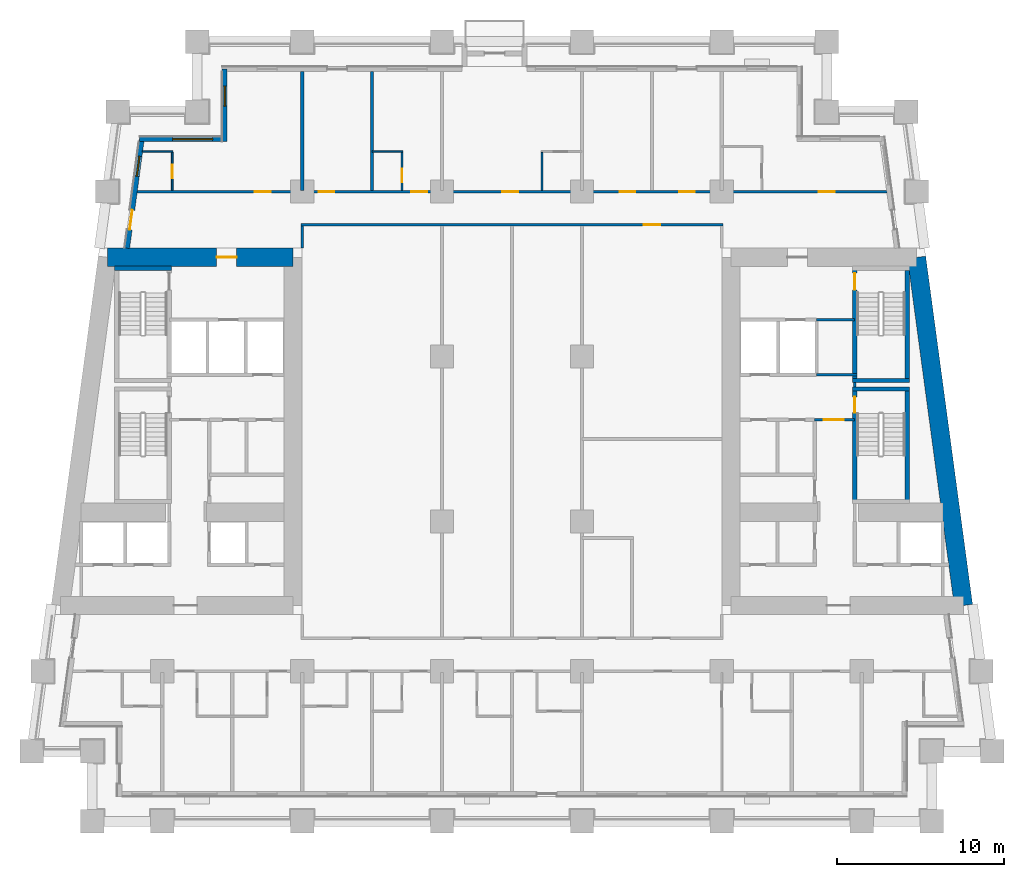
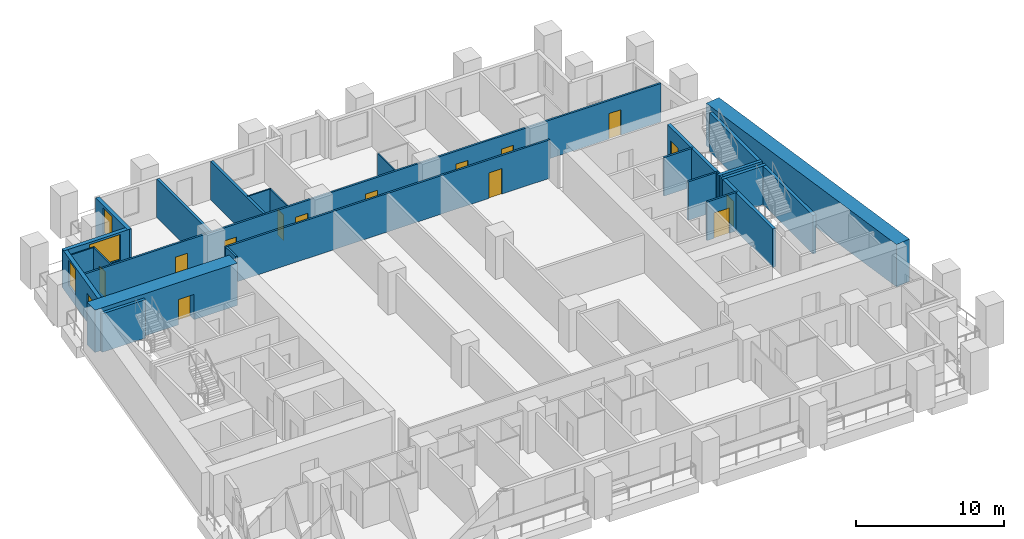
# One storey, part 6 of 13: 26 walls, 15 doors, 3 windows, 18 openings.
"""IFC4 building model written with IfcOpenShell, lengths in metres."""

from ifc_helpers import new_model, si_unit, direction, frame, frame_2d, origin, place, context, subcontext, project, spatial, rectangle, extrude, material, layer, layer_set, type_object, element, fill, save


model = new_model("IFC4")

# Units and contexts
model_context = context("Model", 3, precision=1e-05, world=origin(), true_north=direction((0.0, 1.0)))
body_context = subcontext(model_context, "Body", "Model", "MODEL_VIEW")
ifc_project = project(units=[si_unit("LENGTHUNIT", "METRE"), si_unit("AREAUNIT", "SQUARE_METRE"), si_unit("VOLUMEUNIT", "CUBIC_METRE"), si_unit("PLANEANGLEUNIT", "RADIAN"), si_unit("MASSUNIT", "GRAM", prefix="KILO")], contexts=[model_context])

# Site, building, storey
site_placement = place(None, origin())
site = spatial("IfcSite", under=ifc_project, at=site_placement, CompositionType="ELEMENT")
building_placement = place(site_placement, origin())
building = spatial("IfcBuilding", under=site, at=building_placement, Name="Candeia Pilgrim Tower and Theatre", CompositionType="ELEMENT")
storey_placement = place(building_placement, frame((0.0, 0.0, 67.0)))
storey = spatial("IfcBuildingStorey", under=building, at=storey_placement, Name="L14", CompositionType="ELEMENT", Elevation=67.0)

# Wall, opening, door
ifc_material_1 = material(Name="Concrete C80/95", Category="concrete")
ifc_layer_1 = layer(ifc_material_1, 1.10009765625)
ifc_layer_set_1 = layer_set([ifc_layer_1], Name="Core wall 1100 C80/95")
wall_type_1 = type_object("IfcWallType", Name="Core wall 1100 C80/95", PredefinedType="SHEAR", material=ifc_layer_set_1)
wall_1_placement = place(storey_placement, frame((89.111572265625, 131.85009765625, 0.0), z_axis=(0.0, 0.0, 1.0), x_axis=(1.0, 0.0, 0.0)))
wall_1 = element("IfcWall", 1, at=wall_1_placement, inside=storey, type_object=wall_type_1, Name="Core wall W1", PredefinedType="SHEAR", context=body_context, shape_type="SweptSolid", body=[
    extrude(rectangle(XDim=11.138427734375, YDim=1.10009765625, at=frame_2d((5.5693359375, 0.0))), origin(), (0.0, 0.0, 1.0), 3.5),
])
opening_1_placement = place(wall_1_placement, frame((6.5517578125, 0.0, 0.0)))
opening_1 = element("IfcOpeningElement", 2, at=opening_1_placement, cuts=wall_1, Name="Opening L14-D055", PredefinedType="OPENING", context=body_context, shape_type="SweptSolid", body=[
    extrude(rectangle(XDim=1.199951171875, YDim=2.10009765625, at=frame_2d((0.60009765625, 1.050048828125))), frame((0.0, 0.56005859375, 0.0), z_axis=(0.0, -1.0, 0.0), x_axis=(1.0, 0.0, 0.0)), (0.0, 0.0, 1.0), 1.1201171875),
])
ifc_material_2 = material(Name="Steel fire door set", Category="steel")
door_type_1 = type_object("IfcDoorType", Name="D-1200-FD60", OperationType="NOTDEFINED", PredefinedType="DOOR", material=ifc_material_2)
door_1_placement = place(opening_1_placement, origin())
door_1 = element("IfcDoor", 3, at=door_1_placement, inside=storey, type_object=door_type_1, Name="Door L14-D055", OperationType="SINGLE_SWING_LEFT", OverallHeight=2.10009765625, OverallWidth=1.199951171875, PredefinedType="DOOR", context=body_context, shape_type="SweptSolid", body=[
    extrude(rectangle(XDim=1.199951171875, YDim=2.10009765625, at=frame_2d((0.60009765625, 1.050048828125))), frame((0.0, 0.02490234375, 0.0), z_axis=(0.0, -1.0, 0.0), x_axis=(1.0, 0.0, 0.0)), (0.0, 0.0, 1.0), 0.050048828125),
])
fill(opening_1, door_1)

# Wall
wall_2_placement = place(storey_placement, frame((137.688232421875, 131.85009765625, 0.0), z_axis=(0.0, 0.0, 1.0), x_axis=(0.133411793472, -0.991060691059, 0.0)))
element("IfcWall", 4, at=wall_2_placement, inside=storey, type_object=wall_type_1, Name="Core wall E2", PredefinedType="SHEAR", context=body_context, shape_type="SweptSolid", body=[
    extrude(rectangle(XDim=21.088623046875, YDim=1.10009765625, at=frame_2d((10.54443359375, 0.0))), origin(), (0.0, 0.0, 1.0), 3.5),
])

# Wall, opening, window
ifc_material_3 = material(Name="Ceramic block masonry", Category="masonry")
ifc_layer_2 = layer(ifc_material_3, 0.300048828125)
ifc_layer_set_2 = layer_set([ifc_layer_2], Name="EW1 glazing-line wall 300")
wall_type_2 = type_object("IfcWallType", Name="EW1 glazing-line wall 300", PredefinedType="SOLIDWALL", material=ifc_layer_set_2)
wall_3_placement = place(storey_placement, frame((96.14990234375, 143.14990234375, 0.0), z_axis=(0.0, 0.0, 1.0), x_axis=(0.0, -1.0, 0.0)))
wall_3 = element("IfcWall", 5, at=wall_3_placement, inside=storey, type_object=wall_type_2, Name="External wall L14-7.0", PredefinedType="SOLIDWALL", context=body_context, shape_type="SweptSolid", body=[
    extrude(rectangle(XDim=4.349853515625, YDim=0.300048828125, at=frame_2d((2.1748046875, 0.0))), origin(), (0.0, 0.0, 1.0), 3.179931640625),
])
opening_2_placement = place(wall_3_placement, frame((1.02490234375, 0.0, 0.89990234375)))
opening_2 = element("IfcOpeningElement", 6, at=opening_2_placement, cuts=wall_3, Name="Opening W-B", PredefinedType="OPENING", context=body_context, shape_type="SweptSolid", body=[
    extrude(rectangle(XDim=1.199951171875, YDim=2.10009765625, at=frame_2d((0.60009765625, 1.050048828125))), frame((0.0, 0.16015625, 0.0), z_axis=(0.0, -1.0, 0.0), x_axis=(1.0, 0.0, 0.0)), (0.0, 0.0, 1.0), 0.320068359375),
])
ifc_material_4 = material(Name="Aluminium framed double glazing", Category="aluminium")
window_type_1 = type_object("IfcWindowType", Name="W-B window 1200x2100", PartitioningType="SINGLE_PANEL", PredefinedType="WINDOW", material=ifc_material_4)
window_1_placement = place(opening_2_placement, origin())
window_1 = element("IfcWindow", 7, at=window_1_placement, inside=storey, type_object=window_type_1, Name="Window W-B L14", OverallHeight=2.10009765625, OverallWidth=1.199951171875, PartitioningType="SINGLE_PANEL", PredefinedType="WINDOW", context=body_context, shape_type="SweptSolid", body=[
    extrude(rectangle(XDim=1.199951171875, YDim=2.10009765625, at=frame_2d((0.60009765625, 1.050048828125))), frame((0.0, 0.030029296875, 0.0), z_axis=(0.0, -1.0, 0.0), x_axis=(1.0, 0.0, 0.0)), (0.0, 0.0, 1.0), 0.06005859375),
])
fill(opening_2, window_1)

wall_4_placement = place(storey_placement, frame((96.14990234375, 138.949951171875, 0.0), z_axis=(0.0, 0.0, 1.0), x_axis=(-1.0, 0.0, 0.0)))
wall_4 = element("IfcWall", 8, at=wall_4_placement, inside=storey, type_object=wall_type_2, Name="External wall L14-8.0", PredefinedType="SOLIDWALL", context=body_context, shape_type="SweptSolid", body=[
    extrude(rectangle(XDim=5.103759765625, YDim=0.300048828125, at=frame_2d((2.5517578125, 0.0))), origin(), (0.0, 0.0, 1.0), 3.179931640625),
])
opening_3_placement = place(wall_4_placement, frame((0.72509765625, 0.0, 0.89990234375)))
opening_3 = element("IfcOpeningElement", 9, at=opening_3_placement, cuts=wall_4, Name="Opening W-A", PredefinedType="OPENING", context=body_context, shape_type="SweptSolid", body=[
    extrude(rectangle(XDim=2.39990234375, YDim=2.10009765625, at=frame_2d((1.199951171875, 1.050048828125))), frame((0.0, 0.16015625, 0.0), z_axis=(0.0, -1.0, 0.0), x_axis=(1.0, 0.0, 0.0)), (0.0, 0.0, 1.0), 0.320068359375),
])
window_type_2 = type_object("IfcWindowType", Name="W-A window 2400x2100", PartitioningType="DOUBLE_PANEL_VERTICAL", PredefinedType="WINDOW", material=ifc_material_4)
window_2_placement = place(opening_3_placement, origin())
window_2 = element("IfcWindow", 10, at=window_2_placement, inside=storey, type_object=window_type_2, Name="Window W-A L14", OverallHeight=2.10009765625, OverallWidth=2.39990234375, PartitioningType="SINGLE_PANEL", PredefinedType="WINDOW", context=body_context, shape_type="SweptSolid", body=[
    extrude(rectangle(XDim=2.39990234375, YDim=2.10009765625, at=frame_2d((1.199951171875, 1.050048828125))), frame((0.0, 0.030029296875, 0.0), z_axis=(0.0, -1.0, 0.0), x_axis=(1.0, 0.0, 0.0)), (0.0, 0.0, 1.0), 0.06005859375),
])
fill(opening_3, window_2)

# Wall, openings, door, window
wall_5_placement = place(storey_placement, frame((91.177490234375, 138.949951171875, 0.0), z_axis=(0.0, 0.0, 1.0), x_axis=(-0.133426664613, -0.991058689065, 0.0)))
wall_5 = element("IfcWall", 11, at=wall_5_placement, inside=storey, type_object=wall_type_2, Name="External wall L14-9.0", PredefinedType="SOLIDWALL", context=body_context, shape_type="SweptSolid", body=[
    extrude(rectangle(XDim=6.609130859375, YDim=0.300048828125, at=frame_2d((3.3046875, 0.0))), origin(), (0.0, 0.0, 1.0), 3.179931640625),
])
opening_4_placement = place(wall_5_placement, frame((1.039306640625, 0.0, 0.89990234375)))
opening_4 = element("IfcOpeningElement", 12, at=opening_4_placement, cuts=wall_5, Name="Opening W-B", PredefinedType="OPENING", context=body_context, shape_type="SweptSolid", body=[
    extrude(rectangle(XDim=1.199951171875, YDim=2.10009765625, at=frame_2d((0.60009765625, 1.050048828125))), frame((0.0, 0.16015625, 0.0), z_axis=(0.0, -1.0, 0.0), x_axis=(1.0, 0.0, 0.0)), (0.0, 0.0, 1.0), 0.320068359375),
])
opening_5_placement = place(wall_5_placement, frame((4.293701171875, 0.0, 0.0)))
opening_5 = element("IfcOpeningElement", 13, at=opening_5_placement, cuts=wall_5, Name="Opening L14-ED163", PredefinedType="OPENING", context=body_context, shape_type="SweptSolid", body=[
    extrude(rectangle(XDim=1.199951171875, YDim=2.39990234375, at=frame_2d((0.60009765625, 1.199951171875))), frame((0.0, 0.16015625, 0.0), z_axis=(0.0, -1.0, 0.0), x_axis=(1.0, 0.0, 0.0)), (0.0, 0.0, 1.0), 0.320068359375),
])
ifc_material_5 = material(Name="Aluminium framed glazed door", Category="aluminium")
door_type_2 = type_object("IfcDoorType", Name="Loggia door 1200x2400", OperationType="DOUBLE_DOOR_SINGLE_SWING", PredefinedType="DOOR", material=ifc_material_5)
door_2_placement = place(opening_5_placement, origin())
door_2 = element("IfcDoor", 14, at=door_2_placement, inside=storey, type_object=door_type_2, Name="Loggia door L14-ED163", OperationType="DOUBLE_DOOR_SINGLE_SWING", OverallHeight=2.39990234375, OverallWidth=1.199951171875, PredefinedType="DOOR", context=body_context, shape_type="SweptSolid", body=[
    extrude(rectangle(XDim=1.199951171875, YDim=2.39990234375, at=frame_2d((0.60009765625, 1.199951171875))), frame((0.0, 0.02490234375, 0.0), z_axis=(0.0, -1.0, 0.0), x_axis=(1.0, 0.0, 0.0)), (0.0, 0.0, 1.0), 0.050048828125),
])
fill(opening_5, door_2)
window_3_placement = place(opening_4_placement, origin())
window_3 = element("IfcWindow", 15, at=window_3_placement, inside=storey, type_object=window_type_1, Name="Window W-B L14", OverallHeight=2.10009765625, OverallWidth=1.199951171875, PartitioningType="SINGLE_PANEL", PredefinedType="WINDOW", context=body_context, shape_type="SweptSolid", body=[
    extrude(rectangle(XDim=1.199951171875, YDim=2.10009765625, at=frame_2d((0.60009765625, 1.050048828125))), frame((0.0, 0.030029296875, 0.0), z_axis=(0.0, -1.0, 0.0), x_axis=(1.0, 0.0, 0.0)), (0.0, 0.0, 1.0), 0.06005859375),
])
fill(opening_4, window_3)

# Walls
ifc_material_6 = material(Name="Gypsum board partition on steel studs", Category="steel")
ifc_layer_3 = layer(ifc_material_6, 0.10009765625)
ifc_layer_set_3 = layer_set([ifc_layer_3], Name="PW-100 room partition")
wall_type_3 = type_object("IfcWallType", Name="PW-100 room partition", PredefinedType="PARTITIONING", material=ifc_layer_set_3)
wall_6_placement = place(storey_placement, frame((91.2177734375, 138.199951171875, 0.0), z_axis=(0.0, 0.0, 1.0), x_axis=(1.0, 0.0, 0.0)))
element("IfcWall", 16, at=wall_6_placement, inside=storey, type_object=wall_type_3, Name="Room partition L14-039", PredefinedType="PARTITIONING", context=body_context, shape_type="SweptSolid", body=[
    extrude(rectangle(XDim=1.832275390625, YDim=0.10009765625, at=frame_2d((0.916015625, 0.0))), origin(), (0.0, 0.0, 1.0), 3.179931640625),
])
wall_7_placement = place(storey_placement, frame((105.0, 138.199951171875, 0.0), z_axis=(0.0, 0.0, 1.0), x_axis=(1.0, 0.0, 0.0)))
element("IfcWall", 17, at=wall_7_placement, inside=storey, type_object=wall_type_3, Name="Room partition L14-040", PredefinedType="PARTITIONING", context=body_context, shape_type="SweptSolid", body=[
    extrude(rectangle(XDim=1.85009765625, YDim=0.10009765625, at=frame_2d((0.925048828125, 0.0))), origin(), (0.0, 0.0, 1.0), 3.179931640625),
])

# Wall, opening, door
wall_8_placement = place(storey_placement, frame((93.0, 135.875, 0.0), z_axis=(0.0, 0.0, 1.0), x_axis=(0.0, 1.0, 0.0)))
wall_8 = element("IfcWall", 18, at=wall_8_placement, inside=storey, type_object=wall_type_3, Name="Room partition L14-055", PredefinedType="PARTITIONING", context=body_context, shape_type="SweptSolid", body=[
    extrude(rectangle(XDim=2.27490234375, YDim=0.10009765625, at=frame_2d((1.137451171875, 0.0))), origin(), (0.0, 0.0, 1.0), 3.179931640625),
])
opening_6_placement = place(wall_8_placement, frame((0.72509765625, 0.0, 0.0)))
opening_6 = element("IfcOpeningElement", 19, at=opening_6_placement, cuts=wall_8, Name="Opening L14-D038", PredefinedType="OPENING", context=body_context, shape_type="SweptSolid", body=[
    extrude(rectangle(XDim=0.800048828125, YDim=2.10009765625, at=frame_2d((0.39990234375, 1.050048828125))), frame((0.0, 0.06005859375, 0.0), z_axis=(0.0, -1.0, 0.0), x_axis=(1.0, 0.0, 0.0)), (0.0, 0.0, 1.0), 0.1201171875),
])
ifc_material_7 = material(Name="Timber door leaf", Category="wood")
door_type_3 = type_object("IfcDoorType", Name="D-800", OperationType="NOTDEFINED", PredefinedType="DOOR", material=ifc_material_7)
door_3_placement = place(opening_6_placement, origin())
door_3 = element("IfcDoor", 20, at=door_3_placement, inside=storey, type_object=door_type_3, Name="Door L14-D038", OperationType="SINGLE_SWING_RIGHT", OverallHeight=2.10009765625, OverallWidth=0.800048828125, PredefinedType="DOOR", context=body_context, shape_type="SweptSolid", body=[
    extrude(rectangle(XDim=0.800048828125, YDim=2.10009765625, at=frame_2d((0.39990234375, 1.050048828125))), frame((0.0, 0.02490234375, 0.0), z_axis=(0.0, -1.0, 0.0), x_axis=(1.0, 0.0, 0.0)), (0.0, 0.0, 1.0), 0.050048828125),
])
fill(opening_6, door_3)

wall_9_placement = place(storey_placement, frame((106.800048828125, 135.875, 0.0), z_axis=(0.0, 0.0, 1.0), x_axis=(0.0, 1.0, 0.0)))
wall_9 = element("IfcWall", 21, at=wall_9_placement, inside=storey, type_object=wall_type_3, Name="Room partition L14-074", PredefinedType="PARTITIONING", context=body_context, shape_type="SweptSolid", body=[
    extrude(rectangle(XDim=2.27490234375, YDim=0.10009765625, at=frame_2d((1.137451171875, 0.0))), origin(), (0.0, 0.0, 1.0), 3.179931640625),
])
opening_7_placement = place(wall_9_placement, frame((0.5, 0.0, 0.0)))
opening_7 = element("IfcOpeningElement", 22, at=opening_7_placement, cuts=wall_9, Name="Opening L14-D041", PredefinedType="OPENING", context=body_context, shape_type="SweptSolid", body=[
    extrude(rectangle(XDim=0.800048828125, YDim=2.10009765625, at=frame_2d((0.39990234375, 1.050048828125))), frame((0.0, 0.06005859375, 0.0), z_axis=(0.0, -1.0, 0.0), x_axis=(1.0, 0.0, 0.0)), (0.0, 0.0, 1.0), 0.1201171875),
])
door_4_placement = place(opening_7_placement, origin())
door_4 = element("IfcDoor", 23, at=door_4_placement, inside=storey, type_object=door_type_3, Name="Door L14-D041", OperationType="SINGLE_SWING_LEFT", OverallHeight=2.10009765625, OverallWidth=0.800048828125, PredefinedType="DOOR", context=body_context, shape_type="SweptSolid", body=[
    extrude(rectangle(XDim=0.800048828125, YDim=2.10009765625, at=frame_2d((0.39990234375, 1.050048828125))), frame((0.0, 0.02490234375, 0.0), z_axis=(0.0, -1.0, 0.0), x_axis=(1.0, 0.0, 0.0)), (0.0, 0.0, 1.0), 0.050048828125),
])
fill(opening_7, door_4)

# Wall
wall_10_placement = place(storey_placement, frame((115.199951171875, 135.875, 0.0), z_axis=(0.0, 0.0, 1.0), x_axis=(0.0, 1.0, 0.0)))
element("IfcWall", 24, at=wall_10_placement, inside=storey, type_object=wall_type_3, Name="Room partition L14-082", PredefinedType="PARTITIONING", context=body_context, shape_type="SweptSolid", body=[
    extrude(rectangle(XDim=2.27490234375, YDim=0.10009765625, at=frame_2d((1.137451171875, 0.0))), origin(), (0.0, 0.0, 1.0), 3.179931640625),
])

# Wall, opening, door
ifc_layer_4 = layer(ifc_material_6, 0.14990234375)
ifc_layer_set_4 = layer_set([ifc_layer_4], Name="PW-150 lobby wall")
wall_type_4 = type_object("IfcWallType", Name="PW-150 lobby wall", PredefinedType="PARTITIONING", material=ifc_layer_set_4)
wall_11_placement = place(storey_placement, frame((131.572998046875, 122.10009765625, 0.0), z_axis=(0.0, 0.0, 1.0), x_axis=(1.0, 0.0, 0.0)))
wall_11 = element("IfcWall", 25, at=wall_11_placement, inside=storey, type_object=wall_type_4, Name="Lobby wall L14-024", PredefinedType="PARTITIONING", context=body_context, shape_type="SweptSolid", body=[
    extrude(rectangle(XDim=2.39990234375, YDim=0.14990234375, at=frame_2d((1.199951171875, 0.0))), origin(), (0.0, 0.0, 1.0), 3.179931640625),
])
opening_8_placement = place(wall_11_placement, frame((0.550048828125, 0.0, 0.0)))
opening_8 = element("IfcOpeningElement", 26, at=opening_8_placement, cuts=wall_11, Name="Opening L14-D008", PredefinedType="OPENING", context=body_context, shape_type="SweptSolid", body=[
    extrude(rectangle(XDim=1.199951171875, YDim=2.10009765625, at=frame_2d((0.60009765625, 1.050048828125))), frame((0.0, 0.0849609375, 0.0), z_axis=(0.0, -1.0, 0.0), x_axis=(1.0, 0.0, 0.0)), (0.0, 0.0, 1.0), 0.169921875),
])
door_5_placement = place(opening_8_placement, origin())
door_5 = element("IfcDoor", 27, at=door_5_placement, inside=storey, type_object=door_type_1, Name="Door L14-D008", OperationType="SINGLE_SWING_LEFT", OverallHeight=2.10009765625, OverallWidth=1.199951171875, PredefinedType="DOOR", context=body_context, shape_type="SweptSolid", body=[
    extrude(rectangle(XDim=1.199951171875, YDim=2.10009765625, at=frame_2d((0.60009765625, 1.050048828125))), frame((0.0, 0.02490234375, 0.0), z_axis=(0.0, -1.0, 0.0), x_axis=(1.0, 0.0, 0.0)), (0.0, 0.0, 1.0), 0.050048828125),
])
fill(opening_8, door_5)

# Walls
wall_12_placement = place(storey_placement, frame((131.681884765625, 124.800048828125, 0.0), z_axis=(0.0, 0.0, 1.0), x_axis=(1.0, 0.0, 0.0)))
element("IfcWall", 28, at=wall_12_placement, inside=storey, type_object=wall_type_4, Name="Lobby wall L14-031", PredefinedType="PARTITIONING", context=body_context, shape_type="SweptSolid", body=[
    extrude(rectangle(XDim=2.416015625, YDim=0.14990234375, at=frame_2d((1.2080078125, 0.0))), origin(), (0.0, 0.0, 1.0), 3.179931640625),
])
wall_13_placement = place(storey_placement, frame((131.681884765625, 128.10009765625, 0.0), z_axis=(0.0, 0.0, 1.0), x_axis=(1.0, 0.0, 0.0)))
element("IfcWall", 29, at=wall_13_placement, inside=storey, type_object=wall_type_4, Name="Lobby wall L14-034", PredefinedType="PARTITIONING", context=body_context, shape_type="SweptSolid", body=[
    extrude(rectangle(XDim=2.291015625, YDim=0.14990234375, at=frame_2d((1.1455078125, 0.0))), origin(), (0.0, 0.0, 1.0), 3.179931640625),
])
wall_14_placement = place(storey_placement, frame((133.972900390625, 124.074951171875, 0.0), z_axis=(0.0, 0.0, 1.0), x_axis=(0.0, 1.0, 0.0)))
element("IfcWall", 30, at=wall_14_placement, inside=storey, type_object=wall_type_4, Name="Lobby wall L14-104", PredefinedType="PARTITIONING", context=body_context, shape_type="SweptSolid", body=[
    extrude(rectangle(XDim=0.25, YDim=0.14990234375, at=frame_2d((0.125, 0.0))), origin(), (0.0, 0.0, 1.0), 3.179931640625),
])

# Wall, opening, door
ifc_layer_5 = layer(ifc_material_6, 0.14990234375)
ifc_layer_set_5 = layer_set([ifc_layer_5], Name="PW-150 unit wall")
wall_type_5 = type_object("IfcWallType", Name="PW-150 unit wall", PredefinedType="PARTITIONING", material=ifc_layer_set_5)
wall_15_placement = place(storey_placement, frame((100.72509765625, 133.800048828125, 0.0), z_axis=(0.0, 0.0, 1.0), x_axis=(1.0, 0.0, 0.0)))
wall_15 = element("IfcWall", 31, at=wall_15_placement, inside=storey, type_object=wall_type_5, Name="Unit wall L14-037", PredefinedType="PARTITIONING", context=body_context, shape_type="SweptSolid", body=[
    extrude(rectangle(XDim=25.349853515625, YDim=0.14990234375, at=frame_2d((12.6748046875, 0.0))), origin(), (0.0, 0.0, 1.0), 3.179931640625),
])
opening_9_placement = place(wall_15_placement, frame((20.574951171875, 0.0, 0.0)))
opening_9 = element("IfcOpeningElement", 32, at=opening_9_placement, cuts=wall_15, Name="Opening L14-D053", PredefinedType="OPENING", context=body_context, shape_type="SweptSolid", body=[
    extrude(rectangle(XDim=1.0, YDim=2.10009765625, at=frame_2d((0.5, 1.050048828125))), frame((0.0, 0.0849609375, 0.0), z_axis=(0.0, -1.0, 0.0), x_axis=(1.0, 0.0, 0.0)), (0.0, 0.0, 1.0), 0.169921875),
])
door_type_4 = type_object("IfcDoorType", Name="D-1000-FD30S", OperationType="NOTDEFINED", PredefinedType="DOOR", material=ifc_material_2)
door_6_placement = place(opening_9_placement, origin())
door_6 = element("IfcDoor", 33, at=door_6_placement, inside=storey, type_object=door_type_4, Name="Door L14-D053", OperationType="SINGLE_SWING_LEFT", OverallHeight=2.10009765625, OverallWidth=1.0, PredefinedType="DOOR", context=body_context, shape_type="SweptSolid", body=[
    extrude(rectangle(XDim=1.0, YDim=2.10009765625, at=frame_2d((0.5, 1.050048828125))), frame((0.0, 0.02490234375, 0.0), z_axis=(0.0, -1.0, 0.0), x_axis=(1.0, 0.0, 0.0)), (0.0, 0.0, 1.0), 0.050048828125),
])
fill(opening_9, door_6)

# Wall, openings, doors
wall_16_placement = place(storey_placement, frame((90.89453125, 135.800048828125, 0.0), z_axis=(0.0, 0.0, 1.0), x_axis=(1.0, 0.0, 0.0)))
wall_16 = element("IfcWall", 34, at=wall_16_placement, inside=storey, type_object=wall_type_5, Name="Unit wall L14-038", PredefinedType="PARTITIONING", context=body_context, shape_type="SweptSolid", body=[
    extrude(rectangle(XDim=45.010986328125, YDim=0.14990234375, at=frame_2d((22.50537109375, 0.0))), origin(), (0.0, 0.0, 1.0), 3.179931640625),
])
opening_10_placement = place(wall_16_placement, frame((7.068359375, 0.0, 0.0)))
opening_10 = element("IfcOpeningElement", 35, at=opening_10_placement, cuts=wall_16, Name="Opening L14-D037", PredefinedType="OPENING", context=body_context, shape_type="SweptSolid", body=[
    extrude(rectangle(XDim=0.949951171875, YDim=2.10009765625, at=frame_2d((0.47509765625, 1.050048828125))), frame((0.0, 0.0849609375, 0.0), z_axis=(0.0, -1.0, 0.0), x_axis=(1.0, 0.0, 0.0)), (0.0, 0.0, 1.0), 0.169921875),
])
opening_11_placement = place(wall_16_placement, frame((10.892333984375, 0.0, 0.0)))
opening_11 = element("IfcOpeningElement", 36, at=opening_11_placement, cuts=wall_16, Name="Opening L14-D039", PredefinedType="OPENING", context=body_context, shape_type="SweptSolid", body=[
    extrude(rectangle(XDim=0.949951171875, YDim=2.10009765625, at=frame_2d((0.47509765625, 1.050048828125))), frame((0.0, 0.0849609375, 0.0), z_axis=(0.0, -1.0, 0.0), x_axis=(1.0, 0.0, 0.0)), (0.0, 0.0, 1.0), 0.169921875),
])
opening_12_placement = place(wall_16_placement, frame((16.455322265625, 0.0, 0.0)))
opening_12 = element("IfcOpeningElement", 37, at=opening_12_placement, cuts=wall_16, Name="Opening L14-D040", PredefinedType="OPENING", context=body_context, shape_type="SweptSolid", body=[
    extrude(rectangle(XDim=0.949951171875, YDim=2.10009765625, at=frame_2d((0.47509765625, 1.050048828125))), frame((0.0, 0.0849609375, 0.0), z_axis=(0.0, -1.0, 0.0), x_axis=(1.0, 0.0, 0.0)), (0.0, 0.0, 1.0), 0.169921875),
])
opening_13_placement = place(wall_16_placement, frame((21.91845703125, 0.0, 0.0)))
opening_13 = element("IfcOpeningElement", 38, at=opening_13_placement, cuts=wall_16, Name="Opening L14-D042", PredefinedType="OPENING", context=body_context, shape_type="SweptSolid", body=[
    extrude(rectangle(XDim=0.949951171875, YDim=2.10009765625, at=frame_2d((0.47509765625, 1.050048828125))), frame((0.0, 0.0849609375, 0.0), z_axis=(0.0, -1.0, 0.0), x_axis=(1.0, 0.0, 0.0)), (0.0, 0.0, 1.0), 0.169921875),
])
opening_14_placement = place(wall_16_placement, frame((28.968505859375, 0.0, 0.0)))
opening_14 = element("IfcOpeningElement", 39, at=opening_14_placement, cuts=wall_16, Name="Opening L14-D044", PredefinedType="OPENING", context=body_context, shape_type="SweptSolid", body=[
    extrude(rectangle(XDim=0.949951171875, YDim=2.10009765625, at=frame_2d((0.47509765625, 1.050048828125))), frame((0.0, 0.0849609375, 0.0), z_axis=(0.0, -1.0, 0.0), x_axis=(1.0, 0.0, 0.0)), (0.0, 0.0, 1.0), 0.169921875),
])
opening_15_placement = place(wall_16_placement, frame((32.530517578125, 0.0, 0.0)))
opening_15 = element("IfcOpeningElement", 40, at=opening_15_placement, cuts=wall_16, Name="Opening L14-D045", PredefinedType="OPENING", context=body_context, shape_type="SweptSolid", body=[
    extrude(rectangle(XDim=0.949951171875, YDim=2.10009765625, at=frame_2d((0.47509765625, 1.050048828125))), frame((0.0, 0.0849609375, 0.0), z_axis=(0.0, -1.0, 0.0), x_axis=(1.0, 0.0, 0.0)), (0.0, 0.0, 1.0), 0.169921875),
])
opening_16_placement = place(wall_16_placement, frame((40.929443359375, 0.0, 0.0)))
opening_16 = element("IfcOpeningElement", 41, at=opening_16_placement, cuts=wall_16, Name="Opening L14-D046", PredefinedType="OPENING", context=body_context, shape_type="SweptSolid", body=[
    extrude(rectangle(XDim=0.949951171875, YDim=2.10009765625, at=frame_2d((0.47509765625, 1.050048828125))), frame((0.0, 0.0849609375, 0.0), z_axis=(0.0, -1.0, 0.0), x_axis=(1.0, 0.0, 0.0)), (0.0, 0.0, 1.0), 0.169921875),
])
door_type_5 = type_object("IfcDoorType", Name="D-950-FD30S", OperationType="NOTDEFINED", PredefinedType="DOOR", material=ifc_material_2)
door_7_placement = place(opening_10_placement, origin())
door_7 = element("IfcDoor", 42, at=door_7_placement, inside=storey, type_object=door_type_5, Name="Door L14-D037", OperationType="SINGLE_SWING_LEFT", OverallHeight=2.10009765625, OverallWidth=0.949951171875, PredefinedType="DOOR", context=body_context, shape_type="SweptSolid", body=[
    extrude(rectangle(XDim=0.949951171875, YDim=2.10009765625, at=frame_2d((0.47509765625, 1.050048828125))), frame((0.0, 0.02490234375, 0.0), z_axis=(0.0, -1.0, 0.0), x_axis=(1.0, 0.0, 0.0)), (0.0, 0.0, 1.0), 0.050048828125),
])
fill(opening_10, door_7)
door_8_placement = place(opening_11_placement, origin())
door_8 = element("IfcDoor", 43, at=door_8_placement, inside=storey, type_object=door_type_5, Name="Door L14-D039", OperationType="SINGLE_SWING_LEFT", OverallHeight=2.10009765625, OverallWidth=0.949951171875, PredefinedType="DOOR", context=body_context, shape_type="SweptSolid", body=[
    extrude(rectangle(XDim=0.949951171875, YDim=2.10009765625, at=frame_2d((0.47509765625, 1.050048828125))), frame((0.0, 0.02490234375, 0.0), z_axis=(0.0, -1.0, 0.0), x_axis=(1.0, 0.0, 0.0)), (0.0, 0.0, 1.0), 0.050048828125),
])
fill(opening_11, door_8)
door_9_placement = place(opening_12_placement, origin())
door_9 = element("IfcDoor", 44, at=door_9_placement, inside=storey, type_object=door_type_5, Name="Door L14-D040", OperationType="SINGLE_SWING_RIGHT", OverallHeight=2.10009765625, OverallWidth=0.949951171875, PredefinedType="DOOR", context=body_context, shape_type="SweptSolid", body=[
    extrude(rectangle(XDim=0.949951171875, YDim=2.10009765625, at=frame_2d((0.47509765625, 1.050048828125))), frame((0.0, 0.02490234375, 0.0), z_axis=(0.0, -1.0, 0.0), x_axis=(1.0, 0.0, 0.0)), (0.0, 0.0, 1.0), 0.050048828125),
])
fill(opening_12, door_9)
door_10_placement = place(opening_13_placement, origin())
door_10 = element("IfcDoor", 45, at=door_10_placement, inside=storey, type_object=door_type_5, Name="Door L14-D042", OperationType="SINGLE_SWING_RIGHT", OverallHeight=2.10009765625, OverallWidth=0.949951171875, PredefinedType="DOOR", context=body_context, shape_type="SweptSolid", body=[
    extrude(rectangle(XDim=0.949951171875, YDim=2.10009765625, at=frame_2d((0.47509765625, 1.050048828125))), frame((0.0, 0.02490234375, 0.0), z_axis=(0.0, -1.0, 0.0), x_axis=(1.0, 0.0, 0.0)), (0.0, 0.0, 1.0), 0.050048828125),
])
fill(opening_13, door_10)
door_11_placement = place(opening_14_placement, origin())
door_11 = element("IfcDoor", 46, at=door_11_placement, inside=storey, type_object=door_type_5, Name="Door L14-D044", OperationType="SINGLE_SWING_RIGHT", OverallHeight=2.10009765625, OverallWidth=0.949951171875, PredefinedType="DOOR", context=body_context, shape_type="SweptSolid", body=[
    extrude(rectangle(XDim=0.949951171875, YDim=2.10009765625, at=frame_2d((0.47509765625, 1.050048828125))), frame((0.0, 0.02490234375, 0.0), z_axis=(0.0, -1.0, 0.0), x_axis=(1.0, 0.0, 0.0)), (0.0, 0.0, 1.0), 0.050048828125),
])
fill(opening_14, door_11)
door_12_placement = place(opening_15_placement, origin())
door_12 = element("IfcDoor", 47, at=door_12_placement, inside=storey, type_object=door_type_5, Name="Door L14-D045", OperationType="SINGLE_SWING_LEFT", OverallHeight=2.10009765625, OverallWidth=0.949951171875, PredefinedType="DOOR", context=body_context, shape_type="SweptSolid", body=[
    extrude(rectangle(XDim=0.949951171875, YDim=2.10009765625, at=frame_2d((0.47509765625, 1.050048828125))), frame((0.0, 0.02490234375, 0.0), z_axis=(0.0, -1.0, 0.0), x_axis=(1.0, 0.0, 0.0)), (0.0, 0.0, 1.0), 0.050048828125),
])
fill(opening_15, door_12)
door_13_placement = place(opening_16_placement, origin())
door_13 = element("IfcDoor", 48, at=door_13_placement, inside=storey, type_object=door_type_5, Name="Door L14-D046", OperationType="SINGLE_SWING_RIGHT", OverallHeight=2.10009765625, OverallWidth=0.949951171875, PredefinedType="DOOR", context=body_context, shape_type="SweptSolid", body=[
    extrude(rectangle(XDim=0.949951171875, YDim=2.10009765625, at=frame_2d((0.47509765625, 1.050048828125))), frame((0.0, 0.02490234375, 0.0), z_axis=(0.0, -1.0, 0.0), x_axis=(1.0, 0.0, 0.0)), (0.0, 0.0, 1.0), 0.050048828125),
])
fill(opening_16, door_13)

# Walls
wall_17_placement = place(storey_placement, frame((100.800048828125, 132.39990234375, 0.0), z_axis=(0.0, 0.0, 1.0), x_axis=(0.0, 1.0, 0.0)))
element("IfcWall", 49, at=wall_17_placement, inside=storey, type_object=wall_type_5, Name="Unit wall L14-069", PredefinedType="PARTITIONING", context=body_context, shape_type="SweptSolid", body=[
    extrude(rectangle(XDim=1.3251953125, YDim=0.14990234375, at=frame_2d((0.66259765625, 0.0))), origin(), (0.0, 0.0, 1.0), 3.179931640625),
])
ifc_layer_6 = layer(ifc_material_6, 0.199951171875)
ifc_layer_set_6 = layer_set([ifc_layer_6], Name="PW-200 party wall")
wall_type_6 = type_object("IfcWallType", Name="PW-200 party wall", PredefinedType="PARTITIONING", material=ifc_layer_set_6)
for number, where, z_axis, x_axis, name in (
    (50, (100.800048828125, 135.875, 0.0), (0.0, 0.0, 1.0), (0.0, 1.0, 0.0), "Party wall L14-067"),
    (51, (105.0, 135.875, 0.0), (0.0, 0.0, 1.0), (0.0, 1.0, 0.0), "Party wall L14-072"),
):
    element("IfcWall", number, at=place(storey_placement, frame(where, z_axis=z_axis, x_axis=x_axis)), inside=storey, type_object=wall_type_6, Name=name, PredefinedType="PARTITIONING", context=body_context, shape_type="SweptSolid", body=[
        extrude(rectangle(XDim=7.135009765625, YDim=0.199951171875, at=frame_2d((3.5673828125, 0.0))), origin(), (0.0, 0.0, 1.0), 3.179931640625),
    ])
ifc_material_8 = material(Name="Concrete C40/50", Category="concrete")
ifc_layer_7 = layer(ifc_material_8, 0.25)
ifc_layer_set_7 = layer_set([ifc_layer_7], Name="SW-250 stair wall")
wall_type_7 = type_object("IfcWallType", Name="SW-250 stair wall", PredefinedType="PARTITIONING", material=ifc_layer_set_7)
for number, where, z_axis, x_axis, name in (
    (52, (133.847900390625, 123.949951171875, 0.0), (0.0, 0.0, 1.0), (1.0, 0.0, 0.0), "Stair wall L14-026"),
    (53, (133.847900390625, 124.449951171875, 0.0), (0.0, 0.0, 1.0), (1.0, 0.0, 0.0), "Stair wall L14-028"),
):
    element("IfcWall", number, at=place(storey_placement, frame(where, z_axis=z_axis, x_axis=x_axis)), inside=storey, type_object=wall_type_7, Name=name, PredefinedType="PARTITIONING", context=body_context, shape_type="SweptSolid", body=[
        extrude(rectangle(XDim=3.400146484375, YDim=0.25, at=frame_2d((1.7001953125, 0.0))), origin(), (0.0, 0.0, 1.0), 3.179931640625),
    ])
wall_18_placement = place(storey_placement, frame((89.552001953125, 131.199951171875, 0.0), z_axis=(0.0, 0.0, 1.0), x_axis=(1.0, 0.0, 0.0)))
element("IfcWall", 54, at=wall_18_placement, inside=storey, type_object=wall_type_7, Name="Stair wall L14-035", PredefinedType="PARTITIONING", context=body_context, shape_type="SweptSolid", body=[
    extrude(rectangle(XDim=3.39990234375, YDim=0.25, at=frame_2d((1.699951171875, 0.0))), origin(), (0.0, 0.0, 1.0), 3.179931640625),
])

# Wall, opening, door
wall_19_placement = place(storey_placement, frame((133.972900390625, 117.070068359375, 0.0), z_axis=(0.0, 0.0, 1.0), x_axis=(0.0, 1.0, 0.0)))
wall_19 = element("IfcWall", 55, at=wall_19_placement, inside=storey, type_object=wall_type_7, Name="Stair wall L14-105", PredefinedType="PARTITIONING", context=body_context, shape_type="SweptSolid", body=[
    extrude(rectangle(XDim=6.7548828125, YDim=0.25, at=frame_2d((3.37744140625, 0.0))), origin(), (0.0, 0.0, 1.0), 3.179931640625),
])
opening_17_placement = place(wall_19_placement, frame((5.455078125, 0.0, 0.0)))
opening_17 = element("IfcOpeningElement", 56, at=opening_17_placement, cuts=wall_19, Name="Opening L14-D011", PredefinedType="OPENING", context=body_context, shape_type="SweptSolid", body=[
    extrude(rectangle(XDim=0.949951171875, YDim=2.10009765625, at=frame_2d((0.47509765625, 1.050048828125))), frame((0.0, 0.135009765625, 0.0), z_axis=(0.0, -1.0, 0.0), x_axis=(1.0, 0.0, 0.0)), (0.0, 0.0, 1.0), 0.27001953125),
])
door_type_6 = type_object("IfcDoorType", Name="D-950-FD60", OperationType="NOTDEFINED", PredefinedType="DOOR", material=ifc_material_2)
door_14_placement = place(opening_17_placement, origin())
door_14 = element("IfcDoor", 57, at=door_14_placement, inside=storey, type_object=door_type_6, Name="Door L14-D011", OperationType="SINGLE_SWING_RIGHT", OverallHeight=2.10009765625, OverallWidth=0.949951171875, PredefinedType="DOOR", context=body_context, shape_type="SweptSolid", body=[
    extrude(rectangle(XDim=0.949951171875, YDim=2.10009765625, at=frame_2d((0.47509765625, 1.050048828125))), frame((0.0, 0.02490234375, 0.0), z_axis=(0.0, -1.0, 0.0), x_axis=(1.0, 0.0, 0.0)), (0.0, 0.0, 1.0), 0.050048828125),
])
fill(opening_17, door_14)

wall_20_placement = place(storey_placement, frame((133.972900390625, 124.574951171875, 0.0), z_axis=(0.0, 0.0, 1.0), x_axis=(0.0, 1.0, 0.0)))
wall_20 = element("IfcWall", 58, at=wall_20_placement, inside=storey, type_object=wall_type_7, Name="Stair wall L14-106", PredefinedType="PARTITIONING", context=body_context, shape_type="SweptSolid", body=[
    extrude(rectangle(XDim=6.755126953125, YDim=0.25, at=frame_2d((3.37744140625, 0.0))), origin(), (0.0, 0.0, 1.0), 3.179931640625),
])
opening_18_placement = place(wall_20_placement, frame((5.324951171875, 0.0, 0.0)))
opening_18 = element("IfcOpeningElement", 59, at=opening_18_placement, cuts=wall_20, Name="Opening L14-D012", PredefinedType="OPENING", context=body_context, shape_type="SweptSolid", body=[
    extrude(rectangle(XDim=1.0, YDim=2.10009765625, at=frame_2d((0.5, 1.050048828125))), frame((0.0, 0.135009765625, 0.0), z_axis=(0.0, -1.0, 0.0), x_axis=(1.0, 0.0, 0.0)), (0.0, 0.0, 1.0), 0.27001953125),
])
door_type_7 = type_object("IfcDoorType", Name="D-1000-FD60", OperationType="NOTDEFINED", PredefinedType="DOOR", material=ifc_material_2)
door_15_placement = place(opening_18_placement, origin())
door_15 = element("IfcDoor", 60, at=door_15_placement, inside=storey, type_object=door_type_7, Name="Door L14-D012", OperationType="SINGLE_SWING_LEFT", OverallHeight=2.10009765625, OverallWidth=1.0, PredefinedType="DOOR", context=body_context, shape_type="SweptSolid", body=[
    extrude(rectangle(XDim=1.0, YDim=2.10009765625, at=frame_2d((0.5, 1.050048828125))), frame((0.0, 0.02490234375, 0.0), z_axis=(0.0, -1.0, 0.0), x_axis=(1.0, 0.0, 0.0)), (0.0, 0.0, 1.0), 0.050048828125),
])
fill(opening_18, door_15)

# Walls
wall_21_placement = place(storey_placement, frame((137.123046875, 117.070068359375, 0.0), z_axis=(0.0, 0.0, 1.0), x_axis=(0.0, 1.0, 0.0)))
element("IfcWall", 61, at=wall_21_placement, inside=storey, type_object=wall_type_7, Name="Stair wall L14-109", PredefinedType="PARTITIONING", context=body_context, shape_type="SweptSolid", body=[
    extrude(rectangle(XDim=6.7548828125, YDim=0.25, at=frame_2d((3.37744140625, 0.0))), origin(), (0.0, 0.0, 1.0), 3.179931640625),
])
wall_22_placement = place(storey_placement, frame((137.123046875, 124.574951171875, 0.0), z_axis=(0.0, 0.0, 1.0), x_axis=(0.0, 1.0, 0.0)))
element("IfcWall", 62, at=wall_22_placement, inside=storey, type_object=wall_type_7, Name="Stair wall L14-110", PredefinedType="PARTITIONING", context=body_context, shape_type="SweptSolid", body=[
    extrude(rectangle(XDim=6.5, YDim=0.25, at=frame_2d((3.25, 0.0))), origin(), (0.0, 0.0, 1.0), 3.179931640625),
])

save(model, "model.ifc")
